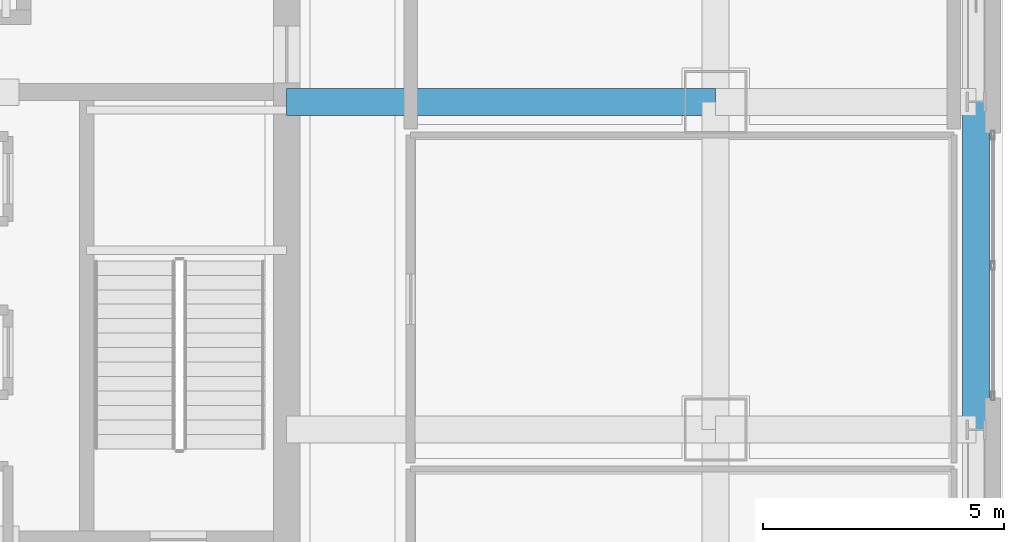
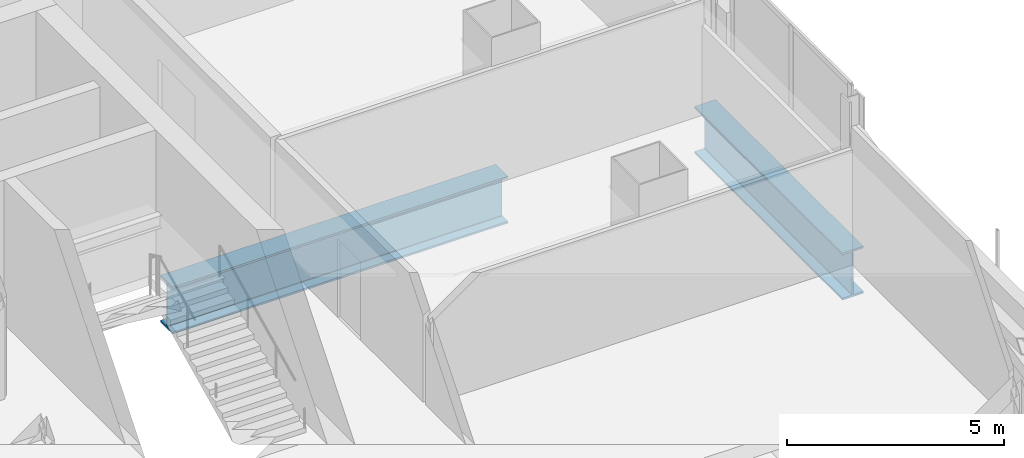
# One storey, part 8 of 30: 2 beams.
"""IFC4 building model written with IfcOpenShell, lengths in metres."""

from ifc_helpers import new_model, si_unit, direction, frame, origin, origin_2d, place, context, subcontext, project, spatial, i_section, extrude, material, material_profile, profile_set, type_object, element, save


model = new_model("IFC4")

# Units and contexts
model_context = context("Model", 3, precision=1e-05, world=origin(), true_north=direction((0.0, 1.0)))
body_context = subcontext(model_context, "Body", "Model", "MODEL_VIEW")
ifc_project = project(units=[si_unit("LENGTHUNIT", "METRE"), si_unit("AREAUNIT", "SQUARE_METRE"), si_unit("VOLUMEUNIT", "CUBIC_METRE"), si_unit("PLANEANGLEUNIT", "RADIAN"), si_unit("MASSUNIT", "GRAM", prefix="KILO")], contexts=[model_context])

# Site, building, storey
site_placement = place(None, origin())
site = spatial("IfcSite", under=ifc_project, at=site_placement, CompositionType="ELEMENT")
building_placement = place(site_placement, origin())
building = spatial("IfcBuilding", under=site, at=building_placement, Name="Punatoya Terracotta Tower", CompositionType="ELEMENT")
storey_placement = place(building_placement, frame((0.0, 0.0, 251.39990234375)))
storey = spatial("IfcBuildingStorey", under=building, at=storey_placement, Name="L59", CompositionType="ELEMENT", Elevation=251.39990234375)

# Beams
ifc_material = material(Name="Steel S460", Category="steel")
ifc_material_profile = material_profile(ifc_material, i_section(OverallWidth=0.56005859375, OverallDepth=1.320068359375, WebThickness=0.035888671875, FlangeThickness=0.054931640625, FilletRadius=0.01806640625, at=origin_2d()))
ifc_profile_set = profile_set([ifc_material_profile], Name="Steel S460")
beam_type = type_object("IfcBeamType", Name="BM-TG-BLK", PredefinedType="BEAM", material=ifc_profile_set)
beam_1_placement = place(storey_placement, frame((10.199951171875, 3.39990234375, -0.93994140625), z_axis=(1.0, 0.0, 0.0), x_axis=(0.0, 1.0, 0.0)))
element("IfcBeam", 1, at=beam_1_placement, inside=storey, type_object=beam_type, Name="BM-L59-PR-EE", PredefinedType="BEAM", context=body_context, shape_type="SweptSolid", body=[
    extrude(i_section(OverallWidth=0.56005859375, OverallDepth=1.320068359375, WebThickness=0.035888671875, FlangeThickness=0.054931640625, FilletRadius=0.01806640625, at=origin_2d()), origin(), (0.0, 0.0, 1.0), 8.900146484375),
])
beam_2_placement = place(storey_placement, frame((24.5, -3.39990234375, -0.93994140625), z_axis=(0.0, 1.0, 0.0), x_axis=(-1.0, 0.0, 0.0)))
element("IfcBeam", 2, at=beam_2_placement, inside=storey, type_object=beam_type, Name="BM-L59-PER-E2", PredefinedType="BEAM", context=body_context, shape_type="SweptSolid", body=[
    extrude(i_section(OverallWidth=0.56005859375, OverallDepth=1.320068359375, WebThickness=0.035888671875, FlangeThickness=0.054931640625, FilletRadius=0.01806640625, at=origin_2d()), origin(), (0.0, 0.0, 1.0), 6.7998046875),
])

save(model, "model.ifc")
